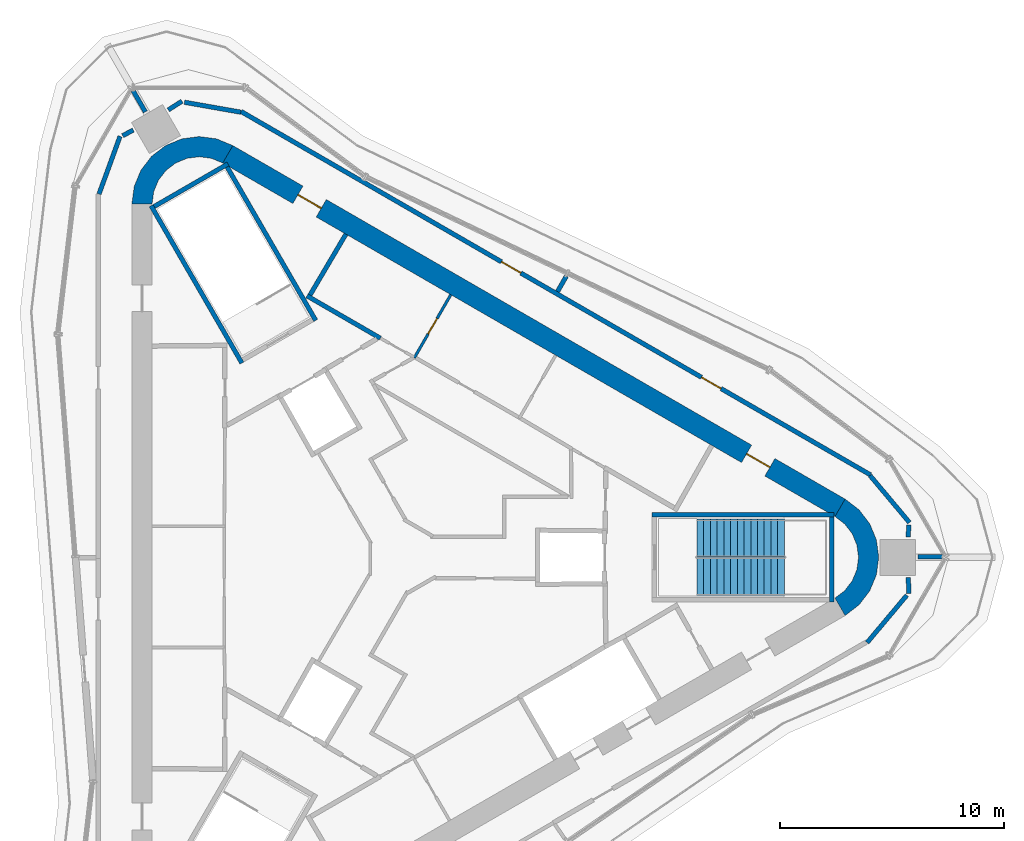
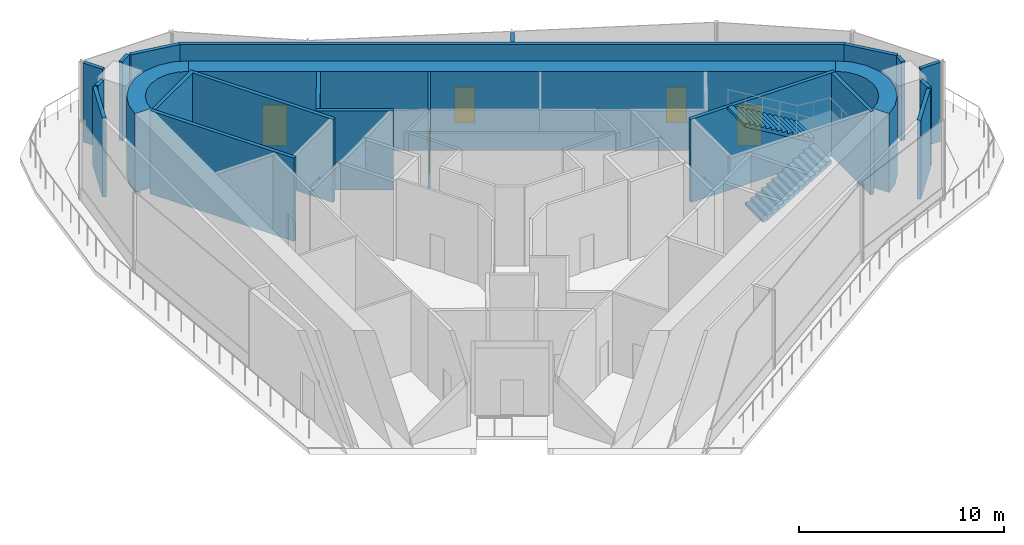
# One storey, part 6 of 8: 23 walls, 5 doors, 2 stair flights, 5 openings, 1 element without a shape of its own.
"""IFC4 building model written with IfcOpenShell, lengths in metres."""

from ifc_helpers import new_model, si_unit, direction, frame, frame_2d, origin, place, context, subcontext, project, spatial, polyline, rectangle, outline, extrude, material, layer, layer_set, type_object, element, fill, aggregate, save


model = new_model("IFC4")

# Units and contexts
model_context = context("Model", 3, precision=1e-05, world=origin(), true_north=direction((0.0, 1.0)))
body_context = subcontext(model_context, "Body", "Model", "MODEL_VIEW")
ifc_project = project(units=[si_unit("LENGTHUNIT", "METRE"), si_unit("AREAUNIT", "SQUARE_METRE"), si_unit("VOLUMEUNIT", "CUBIC_METRE"), si_unit("PLANEANGLEUNIT", "RADIAN"), si_unit("MASSUNIT", "GRAM", prefix="KILO")], contexts=[model_context])

# Site, building, storey
site_placement = place(None, origin())
site = spatial("IfcSite", under=ifc_project, at=site_placement, CompositionType="ELEMENT")
building_placement = place(site_placement, origin())
building = spatial("IfcBuilding", under=site, at=building_placement, Name="Tanit Gate Tower", CompositionType="ELEMENT")
storey_placement = place(building_placement, frame((0.0, 0.0, 440.300048828125)))
storey = spatial("IfcBuildingStorey", under=building, at=storey_placement, Name="L99", CompositionType="ELEMENT", Elevation=440.300048828125)

# Wall, openings, doors
ifc_material_1 = material(Name="Concrete C40/50", Category="concrete")
ifc_layer_1 = layer(ifc_material_1, 0.89990234375)
ifc_layer_set_1 = layer_set([ifc_layer_1], Name="CORE WALL 900 C40/50")
wall_type_1 = type_object("IfcWallType", Name="CORE WALL 900 C40/50", PredefinedType="SHEAR", material=ifc_layer_set_1)
wall_1_placement = place(storey_placement, frame((19.47509765625, 2.20849609375, 0.0), z_axis=(0.0, 0.0, 1.0), x_axis=(-0.866028369851, 0.499994862586, 0.0)))
wall_1 = element("IfcWall", 1, at=wall_1_placement, inside=storey, type_object=wall_type_1, Name="CORE WALL", PredefinedType="SHEAR", context=body_context, shape_type="SweptSolid", body=[
    extrude(rectangle(XDim=31.523193359375, YDim=0.89990234375, at=frame_2d((15.76171875, 0.0))), origin(), (0.0, 0.0, 1.0), 4.699951171875),
])
opening_1_placement = place(wall_1_placement, frame((3.611572265625, 0.0, 0.0)))
opening_1 = element("IfcOpeningElement", 2, at=opening_1_placement, cuts=wall_1, Name="Opening F12-99-FL1", PredefinedType="OPENING", context=body_context, shape_type="SweptSolid", body=[
    extrude(rectangle(XDim=1.199951171875, YDim=2.39990234375, at=frame_2d((0.60009765625, 1.199951171875))), frame((0.0, 0.4599609375, 0.0), z_axis=(0.0, -1.0, 0.0), x_axis=(1.0, 0.0, 0.0)), (0.0, 0.0, 1.0), 0.919921875),
])
opening_2_placement = place(wall_1_placement, frame((26.711669921875, 0.0, 0.0)))
opening_2 = element("IfcOpeningElement", 3, at=opening_2_placement, cuts=wall_1, Name="Opening F12-99-S2", PredefinedType="OPENING", context=body_context, shape_type="SweptSolid", body=[
    extrude(rectangle(XDim=1.199951171875, YDim=2.39990234375, at=frame_2d((0.60009765625, 1.199951171875))), frame((0.0, 0.4599609375, 0.0), z_axis=(0.0, -1.0, 0.0), x_axis=(1.0, 0.0, 0.0)), (0.0, 0.0, 1.0), 0.919921875),
])
ifc_material_2 = material(Name="Fire-rated steel door leaf", Category="steel")
door_type_1 = type_object("IfcDoorType", Name="INT-DOOR-FIRE-LOBBY-1200", OperationType="NOTDEFINED", PredefinedType="USERDEFINED", material=ifc_material_2)
door_1_placement = place(opening_1_placement, origin())
door_1 = element("IfcDoor", 4, at=door_1_placement, inside=storey, type_object=door_type_1, Name="Door F12-99-FL1", ObjectType="FIRE DOOR", OperationType="SINGLE_SWING_LEFT", OverallHeight=2.39990234375, OverallWidth=1.199951171875, PredefinedType="USERDEFINED", context=body_context, shape_type="SweptSolid", body=[
    extrude(rectangle(XDim=1.199951171875, YDim=2.39990234375, at=frame_2d((0.60009765625, 1.199951171875))), frame((0.0, 0.02490234375, 0.0), z_axis=(0.0, -1.0, 0.0), x_axis=(1.0, 0.0, 0.0)), (0.0, 0.0, 1.0), 0.050048828125),
])
fill(opening_1, door_1)
door_2_placement = place(opening_2_placement, origin())
door_2 = element("IfcDoor", 5, at=door_2_placement, inside=storey, type_object=door_type_1, Name="Door F12-99-S2", ObjectType="FIRE DOOR", OperationType="SINGLE_SWING_LEFT", OverallHeight=2.39990234375, OverallWidth=1.199951171875, PredefinedType="USERDEFINED", context=body_context, shape_type="SweptSolid", body=[
    extrude(rectangle(XDim=1.199951171875, YDim=2.39990234375, at=frame_2d((0.60009765625, 1.199951171875))), frame((0.0, 0.02490234375, 0.0), z_axis=(0.0, -1.0, 0.0), x_axis=(1.0, 0.0, 0.0)), (0.0, 0.0, 1.0), 0.050048828125),
])
fill(opening_2, door_2)

# Walls
wall_2_placement = place(storey_placement, origin())
element("IfcWall", 6, at=wall_2_placement, inside=storey, type_object=wall_type_1, Name="CORE WALL CORNER", PredefinedType="SHEAR", context=body_context, shape_type="SweptSolid", body=[
    extrude(outline(polyline([(-7.60009765625, 18.359619140625), (-8.323486328125, 18.659423828125), (-9.10009765625, 18.76171875), (-9.87646484375, 18.659423828125), (-10.60009765625, 18.359619140625), (-11.22119140625, 17.883056640625), (-11.697998046875, 17.26171875), (-11.997802734375, 16.5380859375), (-12.10009765625, 15.76171875), (-11.199951171875, 15.76171875), (-11.12841796875, 16.30517578125), (-10.918701171875, 16.811767578125), (-10.5849609375, 17.24658203125), (-10.14990234375, 17.580322265625), (-9.6435546875, 17.7900390625), (-9.10009765625, 17.86181640625), (-8.556396484375, 17.7900390625), (-8.050048828125, 17.580322265625), (-7.60009765625, 18.359619140625)])), origin(), (0.0, 0.0, 1.0), 4.699951171875),
])
wall_3_placement = place(storey_placement, origin())
element("IfcWall", 7, at=wall_3_placement, inside=storey, type_object=wall_type_1, Name="CORE WALL CORNER", PredefinedType="SHEAR", context=body_context, shape_type="SweptSolid", body=[
    extrude(outline(polyline([(19.699951171875, -2.59814453125), (20.3212890625, -2.121337890625), (20.798095703125, -1.5), (21.097900390625, -0.776611328125), (21.199951171875, 0.0), (21.097900390625, 0.776611328125), (20.798095703125, 1.5), (20.3212890625, 2.121337890625), (19.699951171875, 2.59814453125), (19.25, 1.818603515625), (19.684814453125, 1.48486328125), (20.018798828125, 1.050048828125), (20.228515625, 0.54345703125), (20.300048828125, 0.0), (20.228515625, -0.54345703125), (20.018798828125, -1.050048828125), (19.684814453125, -1.48486328125), (19.25, -1.818603515625), (19.699951171875, -2.59814453125)])), origin(), (0.0, 0.0, 1.0), 4.699951171875),
])
ifc_material_3 = material(Name="Fire-rated gypsum board partition")
ifc_layer_2 = layer(ifc_material_3, 0.199951171875)
ifc_layer_set_2 = layer_set([ifc_layer_2], Name="INT-WALL-COMPARTMENT")
wall_type_2 = type_object("IfcWallType", Name="INT-WALL-COMPARTMENT", PredefinedType="PARTITIONING", material=ifc_layer_set_2)
wall_4_placement = place(storey_placement, frame((-4.295654296875, 11.659912109375, 0.0), z_axis=(0.0, 0.0, 1.0), x_axis=(0.866027389382, -0.499996560828, 0.0)))
element("IfcWall", 8, at=wall_4_placement, inside=storey, type_object=wall_type_2, Name="Wall Compartment W049", PredefinedType="PARTITIONING", context=body_context, shape_type="SweptSolid", body=[
    extrude(rectangle(XDim=3.77783203125, YDim=0.199951171875, at=frame_2d((1.888916015625, 0.0))), origin(), (0.0, 0.0, 1.0), 4.699951171875),
])
wall_5_placement = place(storey_placement, frame((-2.557861328125, 14.409423828125, 0.0), z_axis=(0.0, 0.0, 1.0), x_axis=(-0.508018930956, -0.861345903683, 0.0)))
element("IfcWall", 9, at=wall_5_placement, inside=storey, type_object=wall_type_2, Name="Wall Compartment W050", PredefinedType="PARTITIONING", context=body_context, shape_type="SweptSolid", body=[
    extrude(rectangle(XDim=3.150146484375, YDim=0.199951171875, at=frame_2d((1.5751953125, 0.0))), origin(), (0.0, 0.0, 1.0), 4.699951171875),
])
wall_6_placement = place(storey_placement, frame((-12.6298828125, 18.771240234375, 0.0), z_axis=(0.0, 0.0, 1.0), x_axis=(-0.342015224264, -0.939694411163, 0.0)))
element("IfcWall", 10, at=wall_6_placement, inside=storey, type_object=wall_type_2, Name="Wall Compartment W091", PredefinedType="PARTITIONING", context=body_context, shape_type="SweptSolid", body=[
    extrude(rectangle(XDim=2.73681640625, YDim=0.199951171875, at=frame_2d((1.368408203125, 0.0))), origin(), (0.0, 0.0, 1.0), 4.699951171875),
])
wall_7_placement = place(storey_placement, frame((-12.03759765625, 19.049560546875, 0.0), z_axis=(0.0, 0.0, 1.0), x_axis=(-0.887186880255, -0.461410272429, 0.0)))
element("IfcWall", 11, at=wall_7_placement, inside=storey, type_object=wall_type_2, Name="Wall Compartment W092", PredefinedType="PARTITIONING", context=body_context, shape_type="SweptSolid", body=[
    extrude(rectangle(XDim=0.534423828125, YDim=0.199951171875, at=frame_2d((0.26708984375, 0.0))), origin(), (0.0, 0.0, 1.0), 4.699951171875),
])
wall_8_placement = place(storey_placement, frame((22.951171875, 0.030029296875, 0.0), z_axis=(0.0, 0.0, 1.0), x_axis=(1.0, 0.0, 0.0)))
element("IfcWall", 12, at=wall_8_placement, inside=storey, type_object=wall_type_2, Name="Wall Compartment W103", PredefinedType="PARTITIONING", context=body_context, shape_type="SweptSolid", body=[
    extrude(rectangle(XDim=1.09814453125, YDim=0.199951171875, at=frame_2d((0.549072265625, 0.0))), origin(), (0.0, 0.0, 1.0), 4.699951171875),
])
wall_9_placement = place(storey_placement, frame((-11.50146484375, 19.861083984375, 0.0), z_axis=(0.0, 0.0, 1.0), x_axis=(-0.500107244371, 0.865963477364, 0.0)))
element("IfcWall", 13, at=wall_9_placement, inside=storey, type_object=wall_type_2, Name="Wall Compartment W095", PredefinedType="PARTITIONING", context=body_context, shape_type="SweptSolid", body=[
    extrude(rectangle(XDim=1.098388671875, YDim=0.199951171875, at=frame_2d((0.54931640625, 0.0))), origin(), (0.0, 0.0, 1.0), 4.699951171875),
])

# Wall, openings, doors
wall_10_placement = place(storey_placement, frame((20.83447265625, 3.67529296875, 0.0), z_axis=(0.0, 0.0, 1.0), x_axis=(-0.866028536494, 0.499994573949, 0.0)))
wall_10 = element("IfcWall", 14, at=wall_10_placement, inside=storey, type_object=wall_type_2, Name="Wall Compartment W096", PredefinedType="PARTITIONING", context=body_context, shape_type="SweptSolid", body=[
    extrude(rectangle(XDim=32.410888671875, YDim=0.199951171875, at=frame_2d((16.20556640625, 0.0))), origin(), (0.0, 0.0, 1.0), 4.699951171875),
])
opening_3_placement = place(wall_10_placement, frame((7.699951171875, 0.0, 0.0)))
opening_3 = element("IfcOpeningElement", 15, at=opening_3_placement, cuts=wall_10, Name="Opening F10-99-26", PredefinedType="OPENING", context=body_context, shape_type="SweptSolid", body=[
    extrude(rectangle(XDim=1.0, YDim=2.10009765625, at=frame_2d((0.5, 1.050048828125))), frame((0.0, 0.10986328125, 0.0), z_axis=(0.0, -1.0, 0.0), x_axis=(1.0, 0.0, 0.0)), (0.0, 0.0, 1.0), 0.219970703125),
])
opening_4_placement = place(wall_10_placement, frame((18.005615234375, 0.0, 0.0)))
opening_4 = element("IfcOpeningElement", 16, at=opening_4_placement, cuts=wall_10, Name="Opening F10-99-27", PredefinedType="OPENING", context=body_context, shape_type="SweptSolid", body=[
    extrude(rectangle(XDim=1.0, YDim=2.10009765625, at=frame_2d((0.5, 1.050048828125))), frame((0.0, 0.10986328125, 0.0), z_axis=(0.0, -1.0, 0.0), x_axis=(1.0, 0.0, 0.0)), (0.0, 0.0, 1.0), 0.219970703125),
])
ifc_material_4 = material(Name="Fire-rated steel door leaf", Category="steel")
door_type_2 = type_object("IfcDoorType", Name="INT-DOOR-FIRE-1000", OperationType="NOTDEFINED", PredefinedType="USERDEFINED", material=ifc_material_4)
door_3_placement = place(opening_3_placement, origin())
door_3 = element("IfcDoor", 17, at=door_3_placement, inside=storey, type_object=door_type_2, Name="Door F10-99-26", ObjectType="FIRE DOOR", OperationType="SINGLE_SWING_LEFT", OverallHeight=2.10009765625, OverallWidth=1.0, PredefinedType="USERDEFINED", context=body_context, shape_type="SweptSolid", body=[
    extrude(rectangle(XDim=1.0, YDim=2.10009765625, at=frame_2d((0.5, 1.050048828125))), frame((0.0, 0.02490234375, 0.0), z_axis=(0.0, -1.0, 0.0), x_axis=(1.0, 0.0, 0.0)), (0.0, 0.0, 1.0), 0.050048828125),
])
fill(opening_3, door_3)
door_4_placement = place(opening_4_placement, origin())
door_4 = element("IfcDoor", 18, at=door_4_placement, inside=storey, type_object=door_type_2, Name="Door F10-99-27", ObjectType="FIRE DOOR", OperationType="SINGLE_SWING_RIGHT", OverallHeight=2.10009765625, OverallWidth=1.0, PredefinedType="USERDEFINED", context=body_context, shape_type="SweptSolid", body=[
    extrude(rectangle(XDim=1.0, YDim=2.10009765625, at=frame_2d((0.5, 1.050048828125))), frame((0.0, 0.02490234375, 0.0), z_axis=(0.0, -1.0, 0.0), x_axis=(1.0, 0.0, 0.0)), (0.0, 0.0, 1.0), 0.050048828125),
])
fill(opening_4, door_4)

# Walls
wall_11_placement = place(storey_placement, frame((22.5712890625, 1.552001953125, 0.0), z_axis=(0.0, 0.0, 1.0), x_axis=(-0.642777788023, 0.766052684366, 0.0)))
element("IfcWall", 19, at=wall_11_placement, inside=storey, type_object=wall_type_2, Name="Wall Compartment W097", PredefinedType="PARTITIONING", context=body_context, shape_type="SweptSolid", body=[
    extrude(rectangle(XDim=2.737060546875, YDim=0.199951171875, at=frame_2d((1.36865234375, 0.0))), origin(), (0.0, 0.0, 1.0), 4.699951171875),
])
wall_12_placement = place(storey_placement, frame((22.51611328125, 0.89990234375, 0.0), z_axis=(0.0, 0.0, 1.0), x_axis=(0.044289222506, 0.99901875096, 0.0)))
element("IfcWall", 20, at=wall_12_placement, inside=storey, type_object=wall_type_2, Name="Wall Compartment W098", PredefinedType="PARTITIONING", context=body_context, shape_type="SweptSolid", body=[
    extrude(rectangle(XDim=0.53466796875, YDim=0.199951171875, at=frame_2d((0.267333984375, 0.0))), origin(), (0.0, 0.0, 1.0), 4.699951171875),
])
wall_13_placement = place(storey_placement, frame((-9.870361328125, 20.33740234375, 0.0), z_axis=(0.0, 0.0, 1.0), x_axis=(-0.843326891705, -0.537400924569, 0.0)))
element("IfcWall", 21, at=wall_13_placement, inside=storey, type_object=wall_type_2, Name="Wall Compartment W099", PredefinedType="PARTITIONING", context=body_context, shape_type="SweptSolid", body=[
    extrude(rectangle(XDim=0.721435546875, YDim=0.199951171875, at=frame_2d((0.36083984375, 0.0))), origin(), (0.0, 0.0, 1.0), 4.699951171875),
])
wall_14_placement = place(storey_placement, frame((-7.246337890625, 19.84814453125, 0.0), z_axis=(0.0, 0.0, 1.0), x_axis=(-0.984816315713, 0.173599609177, 0.0)))
element("IfcWall", 22, at=wall_14_placement, inside=storey, type_object=wall_type_2, Name="Wall Compartment W100", PredefinedType="PARTITIONING", context=body_context, shape_type="SweptSolid", body=[
    extrude(rectangle(XDim=2.5498046875, YDim=0.199951171875, at=frame_2d((1.27490234375, 0.0))), origin(), (0.0, 0.0, 1.0), 4.699951171875),
])
wall_15_placement = place(storey_placement, frame((7.271240234375, 12.5341796875, 0.0), z_axis=(0.0, 0.0, 1.0), x_axis=(-0.500025443912, -0.866010713236, 0.0)))
element("IfcWall", 23, at=wall_15_placement, inside=storey, type_object=wall_type_2, Name="Wall Compartment W102", PredefinedType="PARTITIONING", context=body_context, shape_type="SweptSolid", body=[
    extrude(rectangle(XDim=0.79052734375, YDim=0.199951171875, at=frame_2d((0.395263671875, 0.0))), origin(), (0.0, 0.0, 1.0), 4.699951171875),
])
wall_16_placement = place(storey_placement, frame((22.5478515625, -1.620849609375, 0.0), z_axis=(0.0, 0.0, 1.0), x_axis=(-0.043980430429, 0.999032392738, 0.0)))
element("IfcWall", 24, at=wall_16_placement, inside=storey, type_object=wall_type_2, Name="Wall Compartment W107", PredefinedType="PARTITIONING", context=body_context, shape_type="SweptSolid", body=[
    extrude(rectangle(XDim=0.7216796875, YDim=0.199951171875, at=frame_2d((0.36083984375, 0.0))), origin(), (0.0, 0.0, 1.0), 4.699951171875),
])
wall_17_placement = place(storey_placement, frame((20.68359375, -3.8017578125, 0.0), z_axis=(0.0, 0.0, 1.0), x_axis=(0.642800550542, 0.766033584265, 0.0)))
element("IfcWall", 25, at=wall_17_placement, inside=storey, type_object=wall_type_2, Name="Wall Compartment W108", PredefinedType="PARTITIONING", context=body_context, shape_type="SweptSolid", body=[
    extrude(rectangle(XDim=2.749755859375, YDim=0.199951171875, at=frame_2d((1.375, 0.0))), origin(), (0.0, 0.0, 1.0), 4.699951171875),
])

# Wall, opening, door
ifc_material_5 = material(Name="Gypsum board partition")
ifc_layer_3 = layer(ifc_material_5, 0.1201171875)
ifc_layer_set_3 = layer_set([ifc_layer_3], Name="INT-WALL-PARTITION")
wall_type_3 = type_object("IfcWallType", Name="INT-WALL-PARTITION", PredefinedType="PARTITIONING", material=ifc_layer_set_3)
wall_18_placement = place(storey_placement, frame((2.11865234375, 11.70947265625, 0.0), z_axis=(0.0, 0.0, 1.0), x_axis=(-0.500017246033, -0.866015446554, 0.0)))
wall_18 = element("IfcWall", 26, at=wall_18_placement, inside=storey, type_object=wall_type_3, Name="Wall Partition W047", PredefinedType="PARTITIONING", context=body_context, shape_type="SweptSolid", body=[
    extrude(rectangle(XDim=3.25, YDim=0.1201171875, at=frame_2d((1.625, 0.0))), origin(), (0.0, 0.0, 1.0), 4.699951171875),
])
opening_5_placement = place(wall_18_placement, frame((1.22509765625, 0.0, 0.0)))
opening_5 = element("IfcOpeningElement", 27, at=opening_5_placement, cuts=wall_18, Name="Opening R08-99-18", PredefinedType="OPENING", context=body_context, shape_type="SweptSolid", body=[
    extrude(rectangle(XDim=0.800048828125, YDim=2.10009765625, at=frame_2d((0.39990234375, 1.050048828125))), frame((0.0, 0.070068359375, 0.0), z_axis=(0.0, -1.0, 0.0), x_axis=(1.0, 0.0, 0.0)), (0.0, 0.0, 1.0), 0.14013671875),
])
ifc_material_6 = material(Name="Timber door leaf", Category="wood")
door_type_3 = type_object("IfcDoorType", Name="INT-DOOR-RISER-800", OperationType="NOTDEFINED", PredefinedType="USERDEFINED", material=ifc_material_6)
door_5_placement = place(opening_5_placement, origin())
door_5 = element("IfcDoor", 28, at=door_5_placement, inside=storey, type_object=door_type_3, Name="Door R08-99-18", ObjectType="FIRE DOOR", OperationType="SINGLE_SWING_RIGHT", OverallHeight=2.10009765625, OverallWidth=0.800048828125, PredefinedType="USERDEFINED", context=body_context, shape_type="SweptSolid", body=[
    extrude(rectangle(XDim=0.800048828125, YDim=2.10009765625, at=frame_2d((0.39990234375, 1.050048828125))), frame((0.0, 0.02490234375, 0.0), z_axis=(0.0, -1.0, 0.0), x_axis=(1.0, 0.0, 0.0)), (0.0, 0.0, 1.0), 0.050048828125),
])
fill(opening_5, door_5)

# Walls
ifc_material_7 = material(Name="Concrete C40/50", Category="concrete")
ifc_layer_4 = layer(ifc_material_7, 0.199951171875)
ifc_layer_set_4 = layer_set([ifc_layer_4], Name="INT-WALL-STAIR")
wall_type_4 = type_object("IfcWallType", Name="INT-WALL-STAIR", PredefinedType="SHEAR", material=ifc_layer_set_4)
wall_19_placement = place(storey_placement, frame((19.199951171875, 1.89990234375, -0.25), z_axis=(0.0, 0.0, 1.0), x_axis=(-1.0, 0.0, 0.0)))
element("IfcWall", 29, at=wall_19_placement, inside=storey, type_object=wall_type_4, Name="Wall Stair W006", PredefinedType="SHEAR", context=body_context, shape_type="SweptSolid", body=[
    extrude(rectangle(XDim=8.099853515625, YDim=0.199951171875, at=frame_2d((4.0498046875, 0.0))), origin(), (0.0, 0.0, 1.0), 4.949951171875),
])
wall_20_placement = place(storey_placement, frame((19.10009765625, -2.0, -0.25), z_axis=(0.0, 0.0, 1.0), x_axis=(0.0, 1.0, 0.0)))
element("IfcWall", 30, at=wall_20_placement, inside=storey, type_object=wall_type_4, Name="Wall Stair W007", PredefinedType="SHEAR", context=body_context, shape_type="SweptSolid", body=[
    extrude(rectangle(XDim=3.800048828125, YDim=0.199951171875, at=frame_2d((1.89990234375, 0.0))), origin(), (0.0, 0.0, 1.0), 4.949951171875),
])
wall_21_placement = place(storey_placement, frame((-11.245361328125, 15.677734375, -0.25), z_axis=(0.0, 0.0, 1.0), x_axis=(0.499977274689, -0.866038523851, 0.0)))
element("IfcWall", 31, at=wall_21_placement, inside=storey, type_object=wall_type_4, Name="Wall Stair W015", PredefinedType="SHEAR", context=body_context, shape_type="SweptSolid", body=[
    extrude(rectangle(XDim=8.10009765625, YDim=0.199951171875, at=frame_2d((4.050048828125, 0.0))), origin(), (0.0, 0.0, 1.0), 4.949951171875),
])
wall_22_placement = place(storey_placement, frame((-7.81787109375, 17.541015625, -0.25), z_axis=(0.0, 0.0, 1.0), x_axis=(-0.866044365799, -0.499967155389, 0.0)))
element("IfcWall", 32, at=wall_22_placement, inside=storey, type_object=wall_type_4, Name="Wall Stair W016", PredefinedType="SHEAR", context=body_context, shape_type="SweptSolid", body=[
    extrude(rectangle(XDim=3.800048828125, YDim=0.199951171875, at=frame_2d((1.89990234375, 0.0))), origin(), (0.0, 0.0, 1.0), 4.949951171875),
])
wall_23_placement = place(storey_placement, frame((-7.8544921875, 17.404541015625, -0.25), z_axis=(0.0, 0.0, 1.0), x_axis=(0.499997992926, -0.866026562566, 0.0)))
element("IfcWall", 33, at=wall_23_placement, inside=storey, type_object=wall_type_4, Name="Wall Stair W017", PredefinedType="SHEAR", context=body_context, shape_type="SweptSolid", body=[
    extrude(rectangle(XDim=7.89990234375, YDim=0.199951171875, at=frame_2d((3.949951171875, 0.0))), origin(), (0.0, 0.0, 1.0), 4.949951171875),
])

# Stair, stair flights
ifc_material_8 = material(Name="Concrete C40/50", Category="concrete")
stair_type = type_object("IfcStairType", Name="INT-STAIR-EXIT", PredefinedType="HALF_TURN_STAIR", material=ifc_material_8)
stair_placement = place(storey_placement, origin())
stair = element("IfcStair", 34, at=stair_placement, inside=storey, type_object=stair_type, Name="L99 STAIR S1", PredefinedType="HALF_TURN_STAIR")
ifc_material_9 = material(Name="Concrete C40/50", Category="concrete")
stair_flight_type = type_object("IfcStairFlightType", Name="INT-STAIR-FLIGHT", PredefinedType="STRAIGHT", material=ifc_material_9)
stair_flight_1_placement = place(storey_placement, frame((13.094970703125, -0.8525390625, 0.0), z_axis=(0.0, 0.0, 1.0), x_axis=(1.0, 0.0, 0.0)))
stair_flight_1 = element("IfcStairFlight", 35, at=stair_flight_1_placement, type_object=stair_flight_type, Name="S1 flight 1", NumberOfRisers=14, NumberOfTreads=13, PredefinedType="STRAIGHT", RiserHeight=0.178571429, TreadLength=0.3, context=body_context, shape_type="SweptSolid", body=[
    extrude(outline(polyline([(0.0, 0.0), (0.0, 0.178466796875), (0.300048828125, 0.178466796875), (0.300048828125, 0.357177734375), (0.60009765625, 0.357177734375), (0.60009765625, 0.53564453125), (0.89990234375, 0.53564453125), (0.89990234375, 0.71435546875), (1.199951171875, 0.71435546875), (1.199951171875, 0.892822265625), (1.5, 0.892822265625), (1.5, 1.071533203125), (1.800048828125, 1.071533203125), (1.800048828125, 1.25), (2.10009765625, 1.25), (2.10009765625, 1.428466796875), (2.39990234375, 1.428466796875), (2.39990234375, 1.607177734375), (2.699951171875, 1.607177734375), (2.699951171875, 1.78564453125), (3.0, 1.78564453125), (3.0, 1.96435546875), (3.300048828125, 1.96435546875), (3.300048828125, 2.142822265625), (3.60009765625, 2.142822265625), (3.60009765625, 2.321533203125), (3.89990234375, 2.321533203125), (3.89990234375, 2.5), (3.89990234375, 2.14697265625), (0.29296875, 0.0), (0.0, 0.0)])), frame((0.0, 0.84765625, 0.0), z_axis=(0.0, -1.0, 0.0), x_axis=(1.0, 0.0, 0.0)), (0.0, 0.0, 1.0), 1.695068359375),
])
stair_flight_2_placement = place(storey_placement, frame((16.9951171875, 0.8525390625, 2.5), z_axis=(0.0, 0.0, 1.0), x_axis=(-1.0, 0.0, 0.0)))
stair_flight_2 = element("IfcStairFlight", 36, at=stair_flight_2_placement, type_object=stair_flight_type, Name="S1 flight 2", NumberOfRisers=14, NumberOfTreads=13, PredefinedType="STRAIGHT", RiserHeight=0.178571429, TreadLength=0.3, context=body_context, shape_type="SweptSolid", body=[
    extrude(outline(polyline([(0.0, 0.0), (0.0, 0.178466796875), (0.300048828125, 0.178466796875), (0.300048828125, 0.357177734375), (0.60009765625, 0.357177734375), (0.60009765625, 0.53564453125), (0.89990234375, 0.53564453125), (0.89990234375, 0.71435546875), (1.199951171875, 0.71435546875), (1.199951171875, 0.892822265625), (1.5, 0.892822265625), (1.5, 1.071533203125), (1.800048828125, 1.071533203125), (1.800048828125, 1.25), (2.10009765625, 1.25), (2.10009765625, 1.428466796875), (2.39990234375, 1.428466796875), (2.39990234375, 1.607177734375), (2.699951171875, 1.607177734375), (2.699951171875, 1.78564453125), (3.0, 1.78564453125), (3.0, 1.96435546875), (3.300048828125, 1.96435546875), (3.300048828125, 2.142822265625), (3.60009765625, 2.142822265625), (3.60009765625, 2.321533203125), (3.89990234375, 2.321533203125), (3.89990234375, 2.5), (3.89990234375, 2.14697265625), (0.29296875, 0.0), (0.0, 0.0)])), frame((0.0, 0.84765625, 0.0), z_axis=(0.0, -1.0, 0.0), x_axis=(1.0, 0.0, 0.0)), (0.0, 0.0, 1.0), 1.695068359375),
])
aggregate(stair, [stair_flight_1, stair_flight_2])

save(model, "model.ifc")
